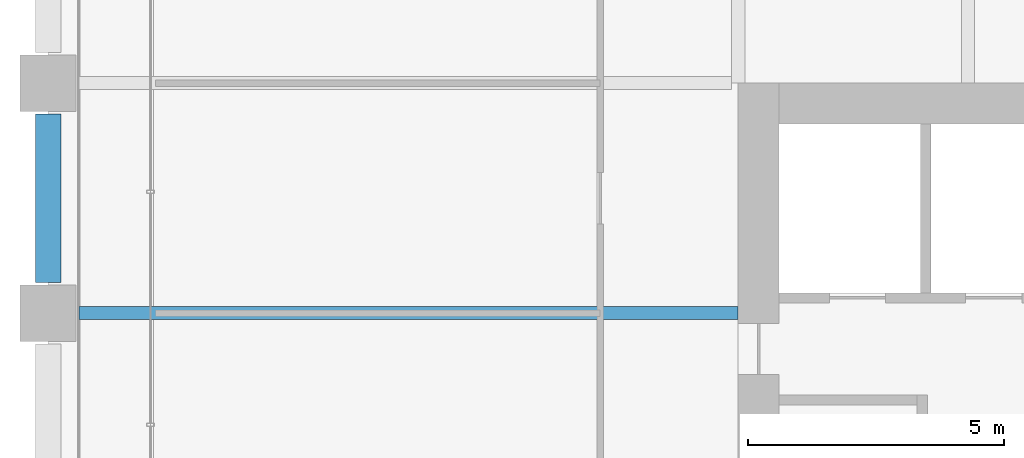
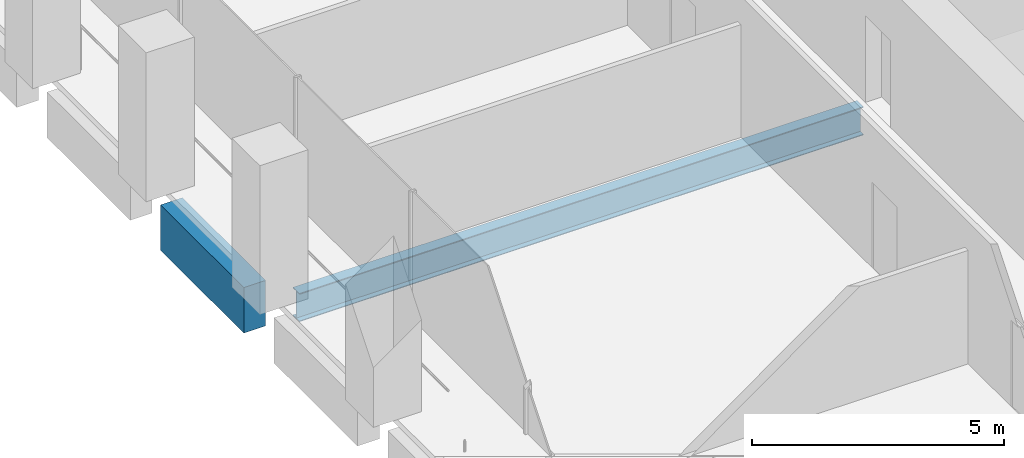
# One storey, part 13 of 55: 2 beams.
"""IFC4 building model written with IfcOpenShell, lengths in metres."""

from ifc_helpers import new_model, si_unit, direction, frame, origin, origin_2d, place, context, subcontext, project, spatial, rectangle, i_section, extrude, material, material_profile, profile_set, type_object, element, save


model = new_model("IFC4")

# Units and contexts
model_context = context("Model", 3, precision=1e-05, world=origin(), true_north=direction((0.0, 1.0)))
body_context = subcontext(model_context, "Body", "Model", "MODEL_VIEW")
ifc_project = project(units=[si_unit("LENGTHUNIT", "METRE"), si_unit("AREAUNIT", "SQUARE_METRE"), si_unit("VOLUMEUNIT", "CUBIC_METRE"), si_unit("PLANEANGLEUNIT", "RADIAN"), si_unit("MASSUNIT", "GRAM", prefix="KILO")], contexts=[model_context])

# Site, building, storey
site_placement = place(None, origin())
site = spatial("IfcSite", under=ifc_project, at=site_placement, CompositionType="ELEMENT")
building_placement = place(site_placement, origin())
building = spatial("IfcBuilding", under=site, at=building_placement, Name="Altepetl Exchange Towers", CompositionType="ELEMENT")
storey_placement = place(building_placement, frame((0.0, 0.0, 47.39990234375)))
storey = spatial("IfcBuildingStorey", under=building, at=storey_placement, Name="L10", CompositionType="ELEMENT", Elevation=47.39990234375)

# Beams
ifc_material_1 = material(Name="Steel S355", Category="steel")
ifc_material_profile_1 = material_profile(ifc_material_1, i_section(OverallWidth=0.25390625, OverallDepth=0.68408203125, WebThickness=0.012451171875, FlangeThickness=0.018798828125, at=origin_2d()), Name="W27X94")
ifc_profile_set_1 = profile_set([ifc_material_profile_1], Name="Steel S355")
beam_type_1 = type_object("IfcBeamType", Name="Floor beam W27X94", PredefinedType="BEAM", material=ifc_profile_set_1)
beam_1_placement = place(storey_placement, frame((27.60009765625, 54.0, -0.491943359375), z_axis=(1.0, 0.0, 0.0), x_axis=(0.0, 1.0, 0.0)))
element("IfcBeam", 1, at=beam_1_placement, inside=storey, type_object=beam_type_1, Name="bm:A:L10:020", PredefinedType="BEAM", context=body_context, shape_type="SweptSolid", body=[
    extrude(i_section(OverallWidth=0.25390625, OverallDepth=0.68408203125, WebThickness=0.012451171875, FlangeThickness=0.018798828125, at=origin_2d()), origin(), (0.0, 0.0, 1.0), 12.89990234375),
])
ifc_material_2 = material(Name="Concrete C50/60 precast with tezontle facing", Category="concrete")
ifc_material_profile_2 = material_profile(ifc_material_2, rectangle(XDim=0.5, YDim=1.10009765625, at=origin_2d()), Name="500 x 1100")
ifc_profile_set_2 = profile_set([ifc_material_profile_2], Name="Concrete C50/60 precast with tezontle facing")
beam_type_2 = type_object("IfcBeamType", Name="Spandrel beam 500x1100 tezontle", PredefinedType="SPANDREL", material=ifc_profile_set_2)
beam_2_placement = place(storey_placement, frame((27.0, 57.89990234375, -0.699951171875), z_axis=(0.0, -1.0, 0.0), x_axis=(1.0, 0.0, 0.0)))
element("IfcBeam", 2, at=beam_2_placement, inside=storey, type_object=beam_type_2, Name="sp:A:L10:038", PredefinedType="SPANDREL", context=body_context, shape_type="SweptSolid", body=[
    extrude(rectangle(XDim=0.5, YDim=1.10009765625, at=origin_2d()), origin(), (0.0, 0.0, 1.0), 3.2998046875),
])

save(model, "model.ifc")
